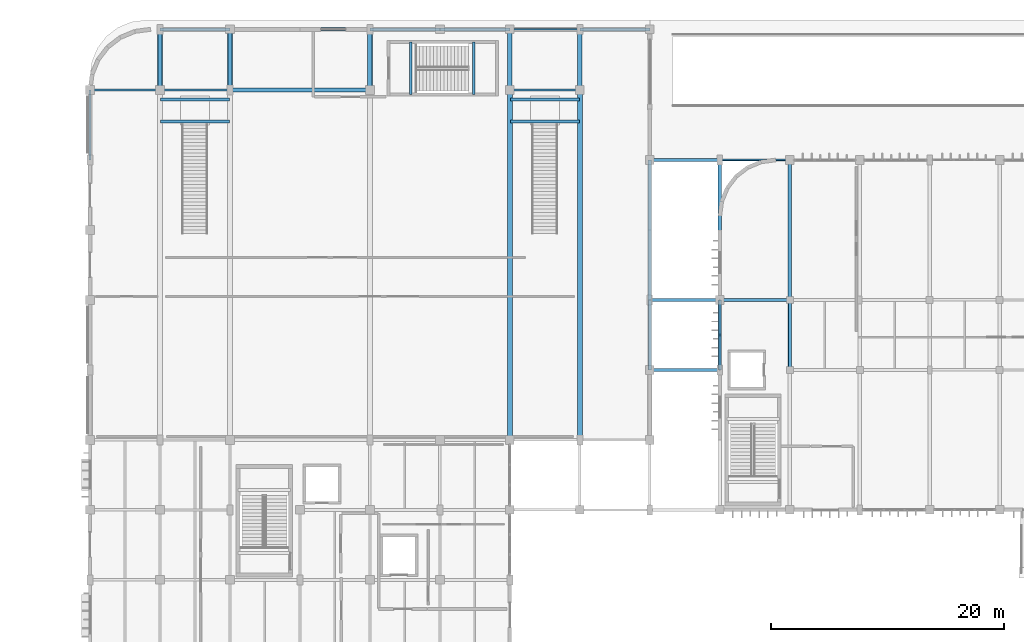
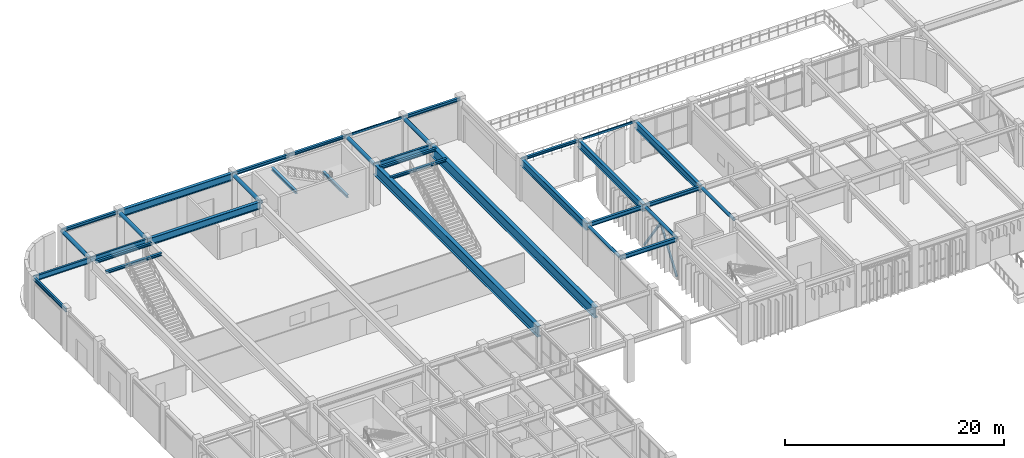
# One storey, part 23 of 76: 35 beams, 2 members.
"""IFC4 building model written with IfcOpenShell, lengths in metres."""

import ifcopenshell
import ifcopenshell.guid

model = None  # the IFC model being written
_history = None  # IfcOwnerHistory: only IFC2X3 demands one
_inside = {}  # id of a spatial element -> (the spatial element, [elements in it])
_under = {}  # id of a project, library or spatial element -> (it, [spatial elements below it])
_declared = {}  # id of a project -> (the project, [libraries it declares])
_typed = {}  # id of a type object -> (the type object, [elements of that type])
_made_of = {}  # id of a material, layer set ... -> (it, [elements and type objects made of it])


def new_model(schema):
    """Start an empty IFC model of exactly this schema.

    Asked for "IFC4X3", IfcOpenShell would pick the latest addendum, in which some entities
    have other attributes; the version numbers below select the first issue.
    IFC2X3 requires an IfcOwnerHistory on every rooted entity: one is made here for all.
    """
    global model, _history
    if schema == "IFC4X3":
        model = ifcopenshell.file(schema_version=(4, 3, 0, 0))
    else:
        model = ifcopenshell.file(schema=schema)
    _inside.clear()
    _under.clear()
    _declared.clear()
    _typed.clear()
    _made_of.clear()
    _history = None
    if model.schema == "IFC2X3":
        org = make("IfcOrganization", Name="unknown")
        user = make(
            "IfcPersonAndOrganization",
            ThePerson=make("IfcPerson", FamilyName="unknown"),
            TheOrganization=org,
        )
        app = make(
            "IfcApplication",
            ApplicationDeveloper=org,
            Version="unknown",
            ApplicationFullName="unknown",
            ApplicationIdentifier="unknown",
        )
        _history = make(
            "IfcOwnerHistory",
            OwningUser=user,
            OwningApplication=app,
            ChangeAction="ADDED",
            CreationDate=0,
        )
    return model


def make(cls, **values):
    """One entity of the class cls with the attributes given. An attribute that is None is left unset."""
    return model.create_entity(
        cls, **{name: value for name, value in values.items() if value is not None}
    )


def rooted(cls, **values):
    """An entity with a GlobalId (a new one), such as an element, a storey or a relation."""
    return make(cls, GlobalId=ifcopenshell.guid.new(), OwnerHistory=_history, **values)


def si_unit(unit_type, name, prefix=None):
    """IfcSIUnit, for example si_unit("LENGTHUNIT", "METRE", prefix="MILLI")."""
    return make("IfcSIUnit", UnitType=unit_type, Prefix=prefix, Name=name)


def assignment(units):
    """IfcUnitAssignment: the units of a project."""
    return None if units is None else make("IfcUnitAssignment", Units=units)


def point(xyz):
    """IfcCartesianPoint."""
    return None if xyz is None else make("IfcCartesianPoint", Coordinates=xyz)


def direction(xyz):
    """IfcDirection."""
    return None if xyz is None else make("IfcDirection", DirectionRatios=xyz)


def frame(location, z_axis=None, x_axis=None):
    """IfcAxis2Placement3D, a coordinate frame: its origin and axes. An axis left out is left unset."""
    return make(
        "IfcAxis2Placement3D",
        Location=point(location),
        Axis=direction(z_axis),
        RefDirection=direction(x_axis),
    )


def frame_2d(location, x_axis=None):
    """IfcAxis2Placement2D, a coordinate frame in the plane: its origin and x axis."""
    return make(
        "IfcAxis2Placement2D", Location=point(location), RefDirection=direction(x_axis)
    )


def origin():
    """The frame at (0, 0, 0) with its axes left unset."""
    return frame((0.0, 0.0, 0.0))


def origin_2d():
    """The frame at (0, 0) in the plane with its x axis left unset."""
    return frame_2d((0.0, 0.0))


def place(relative_to, where):
    """IfcLocalPlacement: puts the frame where relative to a parent placement (None: the world)."""
    return make(
        "IfcLocalPlacement", PlacementRelTo=relative_to, RelativePlacement=where
    )


def context(
    kind, dimensions, precision=None, world=None, true_north=None, identifier=None
):
    """IfcGeometricRepresentationContext, for example the 3D "Model" context."""
    return make(
        "IfcGeometricRepresentationContext",
        ContextIdentifier=identifier,
        ContextType=kind,
        CoordinateSpaceDimension=dimensions,
        Precision=precision,
        WorldCoordinateSystem=world,
        TrueNorth=true_north,
    )


def subcontext(parent, identifier, kind, view, scale=None):
    """IfcGeometricRepresentationSubContext, for example "Body" below "Model"."""
    return make(
        "IfcGeometricRepresentationSubContext",
        ContextIdentifier=identifier,
        ContextType=kind,
        ParentContext=parent,
        TargetScale=scale,
        TargetView=view,
    )


def project(units=None, contexts=None):
    """IfcProject with its units and contexts."""
    return rooted(
        "IfcProject",
        Name="project",
        RepresentationContexts=contexts,
        UnitsInContext=assignment(units),
    )


def spatial(cls, under=None, at=None, **own):
    """A site, building, storey or space (cls), placed at a placement, below another one or the project."""
    s = rooted(cls, ObjectPlacement=at, **own)
    if under is not None:
        _under.setdefault(under.id(), (under, []))[1].append(s)
    return s


def profile(cls, at=None, kind="AREA", **sizes):
    """A parametric profile (cls). Its sizes go by their IFC names, for example OverallWidth=200.0."""
    return make(cls, ProfileType=kind, Position=at, **sizes)


def hollow_rectangle(**sizes):
    """IfcRectangleHollowProfileDef."""
    return profile("IfcRectangleHollowProfileDef", **sizes)


def hollow_circle(**sizes):
    """IfcCircleHollowProfileDef."""
    return profile("IfcCircleHollowProfileDef", **sizes)


def i_section(**sizes):
    """IfcIShapeProfileDef."""
    return profile("IfcIShapeProfileDef", **sizes)


def extrude(swept, where, along, depth):
    """IfcExtrudedAreaSolid: the profile swept, set in the frame where, extruded along a direction by depth."""
    return make(
        "IfcExtrudedAreaSolid",
        SweptArea=swept,
        Position=where,
        ExtrudedDirection=direction(along),
        Depth=depth,
    )


def shape(context_of_items, identifier, shape_type, items):
    """IfcShapeRepresentation: the items that make up one representation, for example the "Body"."""
    return make(
        "IfcShapeRepresentation",
        ContextOfItems=context_of_items,
        RepresentationIdentifier=identifier,
        RepresentationType=shape_type,
        Items=items,
    )


def material(Name=None, Category=None):
    """IfcMaterial."""
    return make("IfcMaterial", Name=Name, Category=Category)


def material_profile(
    of_material, cross_section, Name=None, Category=None, Priority=None
):
    """IfcMaterialProfile: a cross section and its material."""
    return make(
        "IfcMaterialProfile",
        Name=Name,
        Material=of_material,
        Profile=cross_section,
        Priority=Priority,
        Category=Category,
    )


def profile_set(profiles, Name=None, composite=None):
    """IfcMaterialProfileSet."""
    return make(
        "IfcMaterialProfileSet",
        Name=Name,
        MaterialProfiles=profiles,
        CompositeProfile=composite,
    )


def made_of(thing, what):
    """Note that an element or type object is made of a material, layer set ...; save() writes the relation."""
    if what is not None:
        _made_of.setdefault(what.id(), (what, []))[1].append(thing)
    return thing


def type_object(cls, material=None, **own):
    """A type object (cls), such as IfcWallType, which elements share."""
    return made_of(rooted(cls, **own), material)


def element(
    cls,
    number,
    at=None,
    inside=None,
    cuts=None,
    type_object=None,
    material=None,
    context=None,
    identifier="Body",
    shape_type=None,
    held_by="IfcProductDefinitionShape",
    body=None,
    shapes=None,
    **own,
):
    """One element of the class cls, such as IfcWall. Its Tag is "e" and its number.

    at: its placement. inside: the storey or other place that contains it. cuts: it is an
    opening in that element (IfcRelVoidsElement). A single representation is given by context,
    identifier, shape_type and body (its items); several are given by shapes. held_by: the class
    of the entity that holds the representations. save() writes the other relations.
    """
    e = rooted(cls, Tag="e%d" % number, ObjectPlacement=at, **own)
    if body is not None:
        shapes = [shape(context, identifier, shape_type, body)]
    if shapes is not None:
        e.Representation = make(held_by, Representations=shapes)
    if inside is not None:
        _inside.setdefault(inside.id(), (inside, []))[1].append(e)
    if cuts is not None:
        rooted(
            "IfcRelVoidsElement", RelatingBuildingElement=cuts, RelatedOpeningElement=e
        )
    if type_object is not None:
        _typed.setdefault(type_object.id(), (type_object, []))[1].append(e)
    return made_of(e, material)


def aggregate(whole, parts):
    """IfcRelAggregates: a whole, such as a stair, and the parts it consists of."""
    return rooted("IfcRelAggregates", RelatingObject=whole, RelatedObjects=parts)


def save(model, path):
    """Write the relations noted so far, then the file.

    IfcRelAggregates (storeys below a building ...), IfcRelContainedInSpatialStructure (elements
    in a storey), IfcRelDefinesByType, IfcRelAssociatesMaterial and IfcRelDeclares: one each for
    every whole, place, type object, material and project.
    """
    for whole, parts in _under.values():
        aggregate(whole, parts)
    for where, things in _inside.values():
        rooted(
            "IfcRelContainedInSpatialStructure",
            RelatedElements=things,
            RelatingStructure=where,
        )
    for kind, things in _typed.values():
        rooted("IfcRelDefinesByType", RelatedObjects=things, RelatingType=kind)
    for what, things in _made_of.values():
        rooted("IfcRelAssociatesMaterial", RelatedObjects=things, RelatingMaterial=what)
    for by, libraries in _declared.values():
        rooted("IfcRelDeclares", RelatingContext=by, RelatedDefinitions=libraries)
    model.write(path)


model = new_model("IFC4")

# Units and contexts
model_context = context("Model", 3, precision=1e-05, world=origin(), true_north=direction((0.0, 1.0)))
body_context = subcontext(model_context, "Body", "Model", "MODEL_VIEW")
ifc_project = project(units=[si_unit("LENGTHUNIT", "METRE"), si_unit("AREAUNIT", "SQUARE_METRE"), si_unit("VOLUMEUNIT", "CUBIC_METRE"), si_unit("PLANEANGLEUNIT", "RADIAN"), si_unit("MASSUNIT", "GRAM", prefix="KILO")], contexts=[model_context])

# Site, building, storey
site_placement = place(None, origin())
site = spatial("IfcSite", under=ifc_project, at=site_placement, CompositionType="ELEMENT")
building_placement = place(site_placement, origin())
building = spatial("IfcBuilding", under=site, at=building_placement, Name="Varnakota Square Police Headquarters", CompositionType="ELEMENT")
storey_placement = place(building_placement, origin())
storey = spatial("IfcBuildingStorey", under=building, at=storey_placement, Name="L00", CompositionType="ELEMENT", Elevation=0.0)

# Beams
ifc_material = material(Name="Steel IS 2062 Grade 350", Category="steel")
ifc_material_profile_1 = material_profile(ifc_material, hollow_circle(Radius=0.161865234375, WallThickness=0.0126953125, at=origin_2d()), Name="CHS 323.9x12.7")
ifc_profile_set_1 = profile_set([ifc_material_profile_1], Name="Steel IS 2062 Grade 350")
beam_type_1 = type_object("IfcBeamType", Name="BM-ARC-CHS324", PredefinedType="BEAM", material=ifc_profile_set_1)
for number, where, z_axis, x_axis, name in (
    (1, (54.0, 81.0, 4.337890625), (0.0, 1.0, 0.0), (-1.0, 0.0, 0.0), "BMG-L00-1038"),
    (2, (60.0, 81.0, 4.337890625), (0.0, 1.0, 0.0), (-1.0, 0.0, 0.0), "BMG-L00-1045"),
    (3, (66.0, 81.0, 4.337890625), (0.0, 1.0, 0.0), (-1.0, 0.0, 0.0), "BMG-L00-1049"),
):
    element("IfcBeam", number, at=place(storey_placement, frame(where, z_axis=z_axis, x_axis=x_axis)), inside=storey, type_object=beam_type_1, Name=name, PredefinedType="BEAM", context=body_context, shape_type="SweptSolid", body=[
        extrude(hollow_circle(Radius=0.161865234375, WallThickness=0.0126953125, at=origin_2d()), origin(), (0.0, 0.0, 1.0), 6.0),
    ])
ifc_material_profile_2 = material_profile(ifc_material, hollow_circle(Radius=0.203125, WallThickness=0.01611328125, at=origin_2d()), Name="CHS 406.4x16.0")
ifc_profile_set_2 = profile_set([ifc_material_profile_2], Name="Steel IS 2062 Grade 350")
beam_type_2 = type_object("IfcBeamType", Name="BM-ARC-CHS406", PredefinedType="BEAM", material=ifc_profile_set_2)
for number, where, z_axis, x_axis, name in (
    (4, (12.0, 105.0, 4.296875), (0.0, 1.0, 0.0), (-1.0, 0.0, 0.0), "BMG-L00-0961"),
    (5, (18.0, 105.0, 4.296875), (0.0, 1.0, 0.0), (-1.0, 0.0, 0.0), "BMG-L00-0975"),
    (6, (30.0, 105.0, 4.296875), (0.0, 1.0, 0.0), (-1.0, 0.0, 0.0), "BMG-L00-0997"),
    (7, (42.0, 105.0, 4.296875), (0.0, 1.0, 0.0), (-1.0, 0.0, 0.0), "BMG-L00-1023"),
    (8, (48.0, 105.0, 4.296875), (0.0, 1.0, 0.0), (-1.0, 0.0, 0.0), "BMG-L00-1029"),
):
    element("IfcBeam", number, at=place(storey_placement, frame(where, z_axis=z_axis, x_axis=x_axis)), inside=storey, type_object=beam_type_2, Name=name, PredefinedType="BEAM", context=body_context, shape_type="SweptSolid", body=[
        extrude(hollow_circle(Radius=0.203125, WallThickness=0.01611328125, at=origin_2d()), origin(), (0.0, 0.0, 1.0), 5.199951171875),
    ])
ifc_material_profile_3 = material_profile(ifc_material, i_section(OverallWidth=0.419921875, OverallDepth=1.199951171875, WebThickness=0.02197265625, FlangeThickness=0.034912109375, at=origin_2d()), Name="BPG 1200x420")
ifc_profile_set_3 = profile_set([ifc_material_profile_3], Name="Steel IS 2062 Grade 350")
beam_type_3 = type_object("IfcBeamType", Name="BM-BPG1200", PredefinedType="BEAM", material=ifc_profile_set_3)
for number, where, z_axis, x_axis, name in (
    (9, (42.0, 75.0, 3.89990234375), (0.0, 1.0, 0.0), (-1.0, 0.0, 0.0), "Clear-span hall girder L00 X=42"),
    (10, (48.0, 75.0, 3.89990234375), (0.0, 1.0, 0.0), (-1.0, 0.0, 0.0), "Clear-span hall girder L00 X=48"),
):
    element("IfcBeam", number, at=place(storey_placement, frame(where, z_axis=z_axis, x_axis=x_axis)), inside=storey, type_object=beam_type_3, Name=name, PredefinedType="BEAM", context=body_context, shape_type="SweptSolid", body=[
        extrude(i_section(OverallWidth=0.419921875, OverallDepth=1.199951171875, WebThickness=0.02197265625, FlangeThickness=0.034912109375, at=origin_2d()), origin(), (0.0, 0.0, 1.0), 30.0),
    ])
ifc_material_profile_4 = material_profile(ifc_material, i_section(OverallWidth=0.320068359375, OverallDepth=0.800048828125, WebThickness=0.01611328125, FlangeThickness=0.028076171875, at=origin_2d()), Name="BPG 800x320")
ifc_profile_set_4 = profile_set([ifc_material_profile_4], Name="Steel IS 2062 Grade 350")
beam_type_4 = type_object("IfcBeamType", Name="BM-BPG800", PredefinedType="BEAM", material=ifc_profile_set_4)
for number, where, z_axis, x_axis, name in (
    (11, (18.0, 105.0, 4.10009765625), (1.0, 0.0, 0.0), (0.0, 1.0, 0.0), "BMG-L00-0909"),
    (12, (18.0, 110.199951171875, 4.10009765625), (1.0, 0.0, 0.0), (0.0, 1.0, 0.0), "BMG-L00-0919"),
    (13, (54.0, 87.0, 4.10009765625), (0.0, 1.0, 0.0), (-1.0, 0.0, 0.0), "BMG-L00-1039"),
    (14, (60.0, 87.0, 4.10009765625), (0.0, 1.0, 0.0), (-1.0, 0.0, 0.0), "BMG-L00-1046"),
    (15, (66.0, 87.0, 4.10009765625), (0.0, 1.0, 0.0), (-1.0, 0.0, 0.0), "BMG-L00-1050"),
):
    element("IfcBeam", number, at=place(storey_placement, frame(where, z_axis=z_axis, x_axis=x_axis)), inside=storey, type_object=beam_type_4, Name=name, PredefinedType="BEAM", context=body_context, shape_type="SweptSolid", body=[
        extrude(i_section(OverallWidth=0.320068359375, OverallDepth=0.800048828125, WebThickness=0.01611328125, FlangeThickness=0.028076171875, at=origin_2d()), origin(), (0.0, 0.0, 1.0), 12.0),
    ])
ifc_material_profile_5 = material_profile(ifc_material, hollow_rectangle(XDim=0.14990234375, YDim=0.25, WallThickness=0.010009765625, InnerFilletRadius=0.010009765625, OuterFilletRadius=0.02001953125, at=origin_2d()), Name="RHS 250x150x10")
ifc_profile_set_5 = profile_set([ifc_material_profile_5], Name="Steel IS 2062 Grade 350")
beam_type_5 = type_object("IfcBeamType", Name="BM-CBEAM-RHS250", PredefinedType="BEAM", material=ifc_profile_set_5)
for number, where, z_axis, x_axis, name in (
    (16, (60.0, 99.0, 4.375), (1.0, 0.0, 0.0), (0.0, 1.0, 0.0), "BMG-L00-0892"),
    (17, (42.0, 110.199951171875, 4.375), (1.0, 0.0, 0.0), (0.0, 1.0, 0.0), "BMG-L00-0922"),
):
    element("IfcBeam", number, at=place(storey_placement, frame(where, z_axis=z_axis, x_axis=x_axis)), inside=storey, type_object=beam_type_5, Name=name, PredefinedType="BEAM", context=body_context, shape_type="SweptSolid", body=[
        extrude(hollow_rectangle(XDim=0.14990234375, YDim=0.25, WallThickness=0.010009765625, InnerFilletRadius=0.010009765625, OuterFilletRadius=0.02001953125, at=origin_2d()), origin(), (0.0, 0.0, 1.0), 6.0),
    ])
ifc_material_profile_6 = material_profile(ifc_material, i_section(OverallWidth=0.25, OverallDepth=0.300048828125, WebThickness=0.009521484375, FlangeThickness=0.010498046875, FilletRadius=0.011962890625, at=origin_2d()), Name="ISHB 300")
ifc_profile_set_6 = profile_set([ifc_material_profile_6], Name="Steel IS 2062 Grade 350")
beam_type_6 = type_object("IfcBeamType", Name="BM-ISHB300", PredefinedType="BEAM", material=ifc_profile_set_6)
for number, where, z_axis, x_axis, name in (
    (18, (54.0, 99.0, 4.35009765625), (1.0, 0.0, 0.0), (0.0, 1.0, 0.0), "BMG-L00-0891"),
    (19, (36.0, 110.199951171875, 4.35009765625), (1.0, 0.0, 0.0), (0.0, 1.0, 0.0), "BMG-L00-0921"),
):
    element("IfcBeam", number, at=place(storey_placement, frame(where, z_axis=z_axis, x_axis=x_axis)), inside=storey, type_object=beam_type_6, Name=name, PredefinedType="BEAM", context=body_context, shape_type="SweptSolid", body=[
        extrude(i_section(OverallWidth=0.25, OverallDepth=0.300048828125, WebThickness=0.009521484375, FlangeThickness=0.010498046875, FilletRadius=0.011962890625, at=origin_2d()), origin(), (0.0, 0.0, 1.0), 6.0),
    ])
for number, where, z_axis, x_axis, name in (
    (20, (12.050048828125, 102.300048828125, 4.429931640625), (1.0, 0.0, 0.0), (0.0, 1.0, 0.0), "Auditorium stair landing front trimmer L00"),
    (21, (12.050048828125, 104.199951171875, 4.429931640625), (1.0, 0.0, 0.0), (0.0, 1.0, 0.0), "Auditorium stair landing rear trimmer L00"),
    (22, (42.050048828125, 102.300048828125, 4.429931640625), (1.0, 0.0, 0.0), (0.0, 1.0, 0.0), "Auditorium stair landing front trimmer L00"),
    (23, (42.050048828125, 104.199951171875, 4.429931640625), (1.0, 0.0, 0.0), (0.0, 1.0, 0.0), "Auditorium stair landing rear trimmer L00"),
):
    element("IfcBeam", number, at=place(storey_placement, frame(where, z_axis=z_axis, x_axis=x_axis)), inside=storey, type_object=beam_type_6, Name=name, PredefinedType="BEAM", context=body_context, shape_type="SweptSolid", body=[
        extrude(i_section(OverallWidth=0.25, OverallDepth=0.300048828125, WebThickness=0.009521484375, FlangeThickness=0.010498046875, FilletRadius=0.011962890625, at=origin_2d()), origin(), (0.0, 0.0, 1.0), 5.89990234375),
    ])
for number, where, z_axis, x_axis, name in (
    (24, (38.900634765625, 104.60009765625, 2.092041015625), (0.0, 1.0, 0.0), (-1.0, 0.0, 0.0), "Stair landing support beam BM-LND-0081"),
    (25, (33.5, 104.60009765625, 4.429931640625), (0.0, 1.0, 0.0), (-1.0, 0.0, 0.0), "Stair landing support beam BM-LND-0082"),
):
    element("IfcBeam", number, at=place(storey_placement, frame(where, z_axis=z_axis, x_axis=x_axis)), inside=storey, type_object=beam_type_6, Name=name, PredefinedType="BEAM", context=body_context, shape_type="SweptSolid", body=[
        extrude(i_section(OverallWidth=0.25, OverallDepth=0.300048828125, WebThickness=0.009521484375, FlangeThickness=0.010498046875, FilletRadius=0.011962890625, at=origin_2d()), origin(), (0.0, 0.0, 1.0), 4.5),
    ])
ifc_material_profile_7 = material_profile(ifc_material, i_section(OverallWidth=0.25, OverallDepth=0.35009765625, WebThickness=0.010009765625, FlangeThickness=0.01171875, FilletRadius=0.011962890625, at=origin_2d()), Name="ISHB 350")
ifc_profile_set_7 = profile_set([ifc_material_profile_7], Name="Steel IS 2062 Grade 350")
beam_type_7 = type_object("IfcBeamType", Name="BM-ISHB350", PredefinedType="BEAM", material=ifc_profile_set_7)
for number, where, z_axis, x_axis, name in (
    (26, (12.0, 110.199951171875, 4.324951171875), (1.0, 0.0, 0.0), (0.0, 1.0, 0.0), "BMG-L00-0918"),
    (27, (30.0, 110.199951171875, 4.324951171875), (1.0, 0.0, 0.0), (0.0, 1.0, 0.0), "BMG-L00-0920"),
    (28, (48.0, 110.199951171875, 4.324951171875), (1.0, 0.0, 0.0), (0.0, 1.0, 0.0), "BMG-L00-0923"),
):
    element("IfcBeam", number, at=place(storey_placement, frame(where, z_axis=z_axis, x_axis=x_axis)), inside=storey, type_object=beam_type_7, Name=name, PredefinedType="BEAM", context=body_context, shape_type="SweptSolid", body=[
        extrude(i_section(OverallWidth=0.25, OverallDepth=0.35009765625, WebThickness=0.010009765625, FlangeThickness=0.01171875, FilletRadius=0.011962890625, at=origin_2d()), origin(), (0.0, 0.0, 1.0), 6.0),
    ])
ifc_material_profile_8 = material_profile(ifc_material, i_section(OverallWidth=0.25, OverallDepth=0.39990234375, WebThickness=0.010498046875, FlangeThickness=0.0126953125, FilletRadius=0.013916015625, at=origin_2d()), Name="ISHB 400")
ifc_profile_set_8 = profile_set([ifc_material_profile_8], Name="Steel IS 2062 Grade 350")
beam_type_8 = type_object("IfcBeamType", Name="BM-ISHB400", PredefinedType="BEAM", material=ifc_profile_set_8)
beam_1_placement = place(storey_placement, frame((60.0, 87.0, 4.300048828125), z_axis=(1.0, 0.0, 0.0), x_axis=(0.0, 1.0, 0.0)))
element("IfcBeam", 29, at=beam_1_placement, inside=storey, type_object=beam_type_8, Name="BMG-L00-0872", PredefinedType="BEAM", context=body_context, shape_type="SweptSolid", body=[
    extrude(i_section(OverallWidth=0.25, OverallDepth=0.39990234375, WebThickness=0.010498046875, FlangeThickness=0.0126953125, FilletRadius=0.013916015625, at=origin_2d()), origin(), (0.0, 0.0, 1.0), 6.0),
])
ifc_material_profile_9 = material_profile(ifc_material, i_section(OverallWidth=0.25, OverallDepth=0.449951171875, WebThickness=0.01123046875, FlangeThickness=0.013671875, FilletRadius=0.014892578125, at=origin_2d()), Name="ISHB 450")
ifc_profile_set_9 = profile_set([ifc_material_profile_9], Name="Steel IS 2062 Grade 350")
beam_type_9 = type_object("IfcBeamType", Name="BM-ISHB450", PredefinedType="BEAM", material=ifc_profile_set_9)
for number, where, z_axis, x_axis, name in (
    (30, (54.0, 81.0, 4.27490234375), (1.0, 0.0, 0.0), (0.0, 1.0, 0.0), "BMG-L00-0855"),
    (31, (54.0, 87.0, 4.27490234375), (1.0, 0.0, 0.0), (0.0, 1.0, 0.0), "BMG-L00-0871"),
):
    element("IfcBeam", number, at=place(storey_placement, frame(where, z_axis=z_axis, x_axis=x_axis)), inside=storey, type_object=beam_type_9, Name=name, PredefinedType="BEAM", context=body_context, shape_type="SweptSolid", body=[
        extrude(i_section(OverallWidth=0.25, OverallDepth=0.449951171875, WebThickness=0.01123046875, FlangeThickness=0.013671875, FilletRadius=0.014892578125, at=origin_2d()), origin(), (0.0, 0.0, 1.0), 6.0),
    ])
ifc_material_profile_10 = material_profile(ifc_material, i_section(OverallWidth=0.18994140625, OverallDepth=0.550048828125, WebThickness=0.01123046875, FlangeThickness=0.019287109375, FilletRadius=0.01806640625, at=origin_2d()), Name="ISMB 550")
ifc_profile_set_10 = profile_set([ifc_material_profile_10], Name="Steel IS 2062 Grade 350")
beam_type_10 = type_object("IfcBeamType", Name="BM-ISMB550", PredefinedType="BEAM", material=ifc_profile_set_10)
beam_2_placement = place(storey_placement, frame((12.0, 105.0, 4.22509765625), z_axis=(1.0, 0.0, 0.0), x_axis=(0.0, 1.0, 0.0)))
element("IfcBeam", 32, at=beam_2_placement, inside=storey, type_object=beam_type_10, Name="BMG-L00-0908", PredefinedType="BEAM", context=body_context, shape_type="SweptSolid", body=[
    extrude(i_section(OverallWidth=0.18994140625, OverallDepth=0.550048828125, WebThickness=0.01123046875, FlangeThickness=0.019287109375, FilletRadius=0.01806640625, at=origin_2d()), origin(), (0.0, 0.0, 1.0), 6.0),
])
ifc_material_profile_11 = material_profile(ifc_material, i_section(OverallWidth=0.2099609375, OverallDepth=0.60009765625, WebThickness=0.011962890625, FlangeThickness=0.020751953125, FilletRadius=0.02001953125, at=origin_2d()), Name="ISMB 600")
ifc_profile_set_11 = profile_set([ifc_material_profile_11], Name="Steel IS 2062 Grade 350")
beam_type_11 = type_object("IfcBeamType", Name="BM-ISMB600", PredefinedType="BEAM", material=ifc_profile_set_11)
for number, where, z_axis, x_axis, name in (
    (33, (6.0, 105.0, 4.199951171875), (1.0, 0.0, 0.0), (0.0, 1.0, 0.0), "BMG-L00-0907"),
    (34, (42.0, 105.0, 4.199951171875), (1.0, 0.0, 0.0), (0.0, 1.0, 0.0), "BMG-L00-0910"),
):
    element("IfcBeam", number, at=place(storey_placement, frame(where, z_axis=z_axis, x_axis=x_axis)), inside=storey, type_object=beam_type_11, Name=name, PredefinedType="BEAM", context=body_context, shape_type="SweptSolid", body=[
        extrude(i_section(OverallWidth=0.2099609375, OverallDepth=0.60009765625, WebThickness=0.011962890625, FlangeThickness=0.020751953125, FilletRadius=0.02001953125, at=origin_2d()), origin(), (0.0, 0.0, 1.0), 6.0),
    ])
ifc_material_profile_12 = material_profile(ifc_material, i_section(OverallWidth=0.199951171875, OverallDepth=0.39990234375, WebThickness=0.008544921875, FlangeThickness=0.012939453125, FilletRadius=0.012939453125, at=origin_2d()), Name="ISWB 400")
ifc_profile_set_12 = profile_set([ifc_material_profile_12], Name="Steel IS 2062 Grade 350")
beam_type_12 = type_object("IfcBeamType", Name="BM-ISWB400", PredefinedType="BEAM", material=ifc_profile_set_12)
beam_3_placement = place(storey_placement, frame((6.0, 99.0, 4.300048828125), z_axis=(0.0, 1.0, 0.0), x_axis=(-1.0, 0.0, 0.0)))
element("IfcBeam", 35, at=beam_3_placement, inside=storey, type_object=beam_type_12, Name="BMG-L00-0947", PredefinedType="BEAM", context=body_context, shape_type="SweptSolid", body=[
    extrude(i_section(OverallWidth=0.199951171875, OverallDepth=0.39990234375, WebThickness=0.008544921875, FlangeThickness=0.012939453125, FilletRadius=0.012939453125, at=origin_2d()), origin(), (0.0, 0.0, 1.0), 6.0),
])

# Members
ifc_material_profile_13 = material_profile(ifc_material, hollow_rectangle(XDim=0.199951171875, YDim=0.199951171875, WallThickness=0.010009765625, InnerFilletRadius=0.010009765625, OuterFilletRadius=0.02001953125, at=origin_2d()), Name="SHS 200x200x10")
ifc_profile_set_13 = profile_set([ifc_material_profile_13], Name="Steel IS 2062 Grade 350")
member_type = type_object("IfcMemberType", Name="MEM-BR-SHS200", PredefinedType="BRACE", material=ifc_profile_set_13)
for number, where, z_axis, x_axis, name in (
    (36, (60.0, 81.050048828125, 0.02001953125), (0.0, 0.57202533685, 0.8202359502), (-1.0, 0.0, 0.0), "Lateral brace BF5 L00 left"),
    (37, (60.0, 86.949951171875, 0.02001953125), (0.0, -0.57202533685, 0.8202359502), (1.0, 0.0, 0.0), "Lateral brace BF5 L00 right"),
):
    element("IfcMember", number, at=place(storey_placement, frame(where, z_axis=z_axis, x_axis=x_axis)), inside=storey, type_object=member_type, Name=name, PredefinedType="BRACE", context=body_context, shape_type="SweptSolid", body=[
        extrude(hollow_rectangle(XDim=0.199951171875, YDim=0.199951171875, WallThickness=0.010009765625, InnerFilletRadius=0.010009765625, OuterFilletRadius=0.02001953125, at=origin_2d()), origin(), (0.0, 0.0, 1.0), 5.156982421875),
    ])

save(model, "model.ifc")
